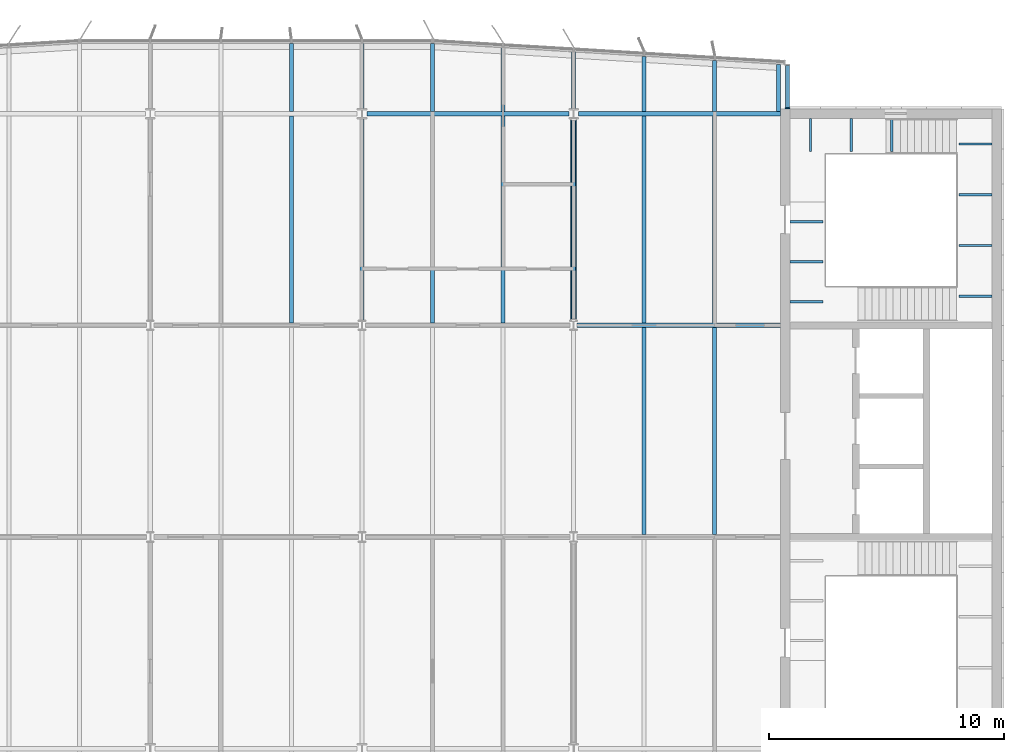
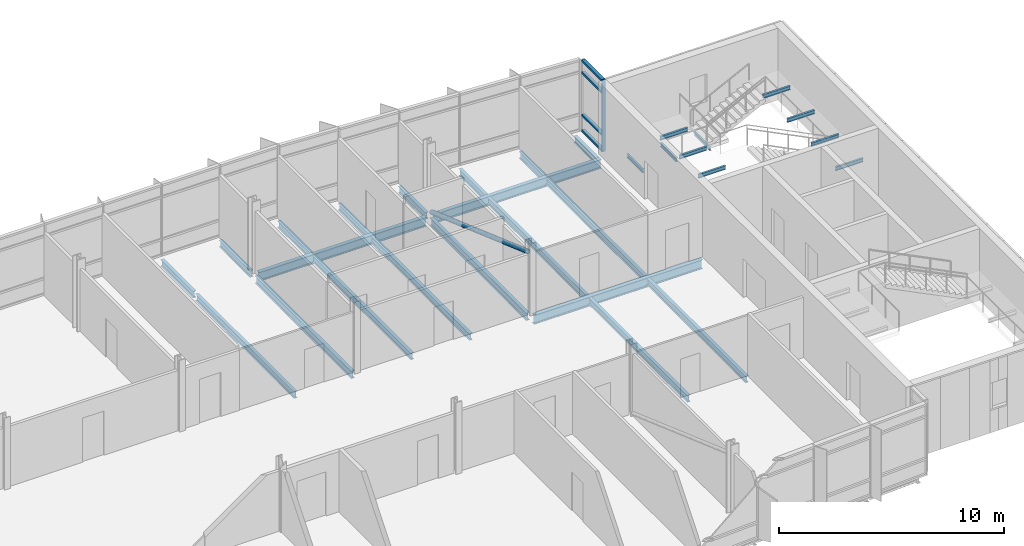
# One storey, part 7 of 18: 30 beams, 6 members, 1 element without a shape of its own.
"""IFC4 building model written with IfcOpenShell, lengths in metres."""

from ifc_helpers import new_model, si_unit, direction, frame, origin, origin_2d, place, context, subcontext, project, spatial, rectangle, hollow_circle, i_section, extrude, material, material_profile, profile_set, type_object, element, aggregate, save


model = new_model("IFC4")

# Units and contexts
model_context = context("Model", 3, precision=1e-05, world=origin(), true_north=direction((0.0, 1.0)))
body_context = subcontext(model_context, "Body", "Model", "MODEL_VIEW")
ifc_project = project(units=[si_unit("LENGTHUNIT", "METRE"), si_unit("AREAUNIT", "SQUARE_METRE"), si_unit("VOLUMEUNIT", "CUBIC_METRE"), si_unit("PLANEANGLEUNIT", "RADIAN"), si_unit("MASSUNIT", "GRAM", prefix="KILO")], contexts=[model_context])

# Site, building, storey
site_placement = place(None, origin())
site = spatial("IfcSite", under=ifc_project, at=site_placement, CompositionType="ELEMENT")
building_placement = place(site_placement, origin())
building = spatial("IfcBuilding", under=site, at=building_placement, Name="Azimuth Sports and Learning Centre", CompositionType="ELEMENT")
storey_placement = place(building_placement, frame((0.0, 0.0, 63.60009765625)))
storey = spatial("IfcBuildingStorey", under=building, at=storey_placement, Name="L14", CompositionType="ELEMENT", Elevation=63.60009765625)

# Beams
ifc_material_1 = material(Name="Steel S355", Category="steel")
ifc_material_profile_1 = material_profile(ifc_material_1, i_section(OverallWidth=0.10009765625, OverallDepth=0.199951171875, WebThickness=0.005615234375, FlangeThickness=0.008544921875, FilletRadius=0.011962890625, at=origin_2d()), Name="IPE 200")
ifc_profile_set_1 = profile_set([ifc_material_profile_1], Name="Steel S355")
beam_type_1 = type_object("IfcBeamType", Name="Beam IPE 200", PredefinedType="BEAM", material=ifc_profile_set_1)
for number, where, z_axis, x_axis, name in (
    (1, (109.0732421875, 116.800048828125, -0.300048828125), (0.0, -1.0, 0.0), (1.0, 0.0, 0.0), "Landing bracket E2 L14 673"),
    (2, (110.800048828125, 116.800048828125, -0.300048828125), (0.0, -1.0, 0.0), (1.0, 0.0, 0.0), "Landing bracket E2 L14 674"),
    (3, (112.526611328125, 116.800048828125, -0.300048828125), (0.0, -1.0, 0.0), (1.0, 0.0, 0.0), "Landing bracket E2 L14 675"),
    (4, (116.800048828125, 109.23876953125, 1.349853515625), (-1.0, 0.0, 0.0), (0.0, -1.0, 0.0), "Landing bracket E2 L14 676"),
    (5, (116.800048828125, 111.396240234375, 1.349853515625), (-1.0, 0.0, 0.0), (0.0, -1.0, 0.0), "Landing bracket E2 L14 677"),
    (6, (116.800048828125, 113.5537109375, 1.349853515625), (-1.0, 0.0, 0.0), (0.0, -1.0, 0.0), "Landing bracket E2 L14 678"),
    (7, (116.800048828125, 115.711181640625, 1.349853515625), (-1.0, 0.0, 0.0), (0.0, -1.0, 0.0), "Landing bracket E2 L14 679"),
    (8, (108.199951171875, 109.00830078125, 3.599853515625), (1.0, 0.0, 0.0), (0.0, 1.0, 0.0), "Landing bracket E2 L14 680"),
    (9, (108.199951171875, 110.705078125, 3.599853515625), (1.0, 0.0, 0.0), (0.0, 1.0, 0.0), "Landing bracket E2 L14 681"),
    (10, (108.199951171875, 112.401611328125, 3.599853515625), (1.0, 0.0, 0.0), (0.0, 1.0, 0.0), "Landing bracket E2 L14 682"),
):
    element("IfcBeam", number, at=place(storey_placement, frame(where, z_axis=z_axis, x_axis=x_axis)), inside=storey, type_object=beam_type_1, Name=name, PredefinedType="BEAM", context=body_context, shape_type="SweptSolid", body=[
        extrude(i_section(OverallWidth=0.10009765625, OverallDepth=0.199951171875, WebThickness=0.005615234375, FlangeThickness=0.008544921875, FilletRadius=0.011962890625, at=origin_2d()), origin(), (0.0, 0.0, 1.0), 1.41015625),
    ])
ifc_material_2 = material(Name="Steel S355", Category="steel")
ifc_material_profile_2 = material_profile(ifc_material_2, i_section(OverallWidth=0.179931640625, OverallDepth=0.39990234375, WebThickness=0.008544921875, FlangeThickness=0.013427734375, FilletRadius=0.02099609375, at=origin_2d()), Name="IPE 400")
ifc_profile_set_2 = profile_set([ifc_material_profile_2], Name="Steel S355")
beam_type_2 = type_object("IfcBeamType", Name="Beam IPE 400", PredefinedType="BEAM", material=ifc_profile_set_2)
for number, where, z_axis, x_axis, name in (
    (11, (90.0, 108.216064453125, -0.330078125), (0.0, 1.0, 0.0), (-1.0, 0.0, 0.0), "Tower tie"),
    (12, (99.0, 108.216064453125, -0.330078125), (0.0, 1.0, 0.0), (-1.0, 0.0, 0.0), "Tower tie"),
):
    element("IfcBeam", number, at=place(storey_placement, frame(where, z_axis=z_axis, x_axis=x_axis)), inside=storey, type_object=beam_type_2, Name=name, PredefinedType="BEAM", context=body_context, shape_type="SweptSolid", body=[
        extrude(i_section(OverallWidth=0.179931640625, OverallDepth=0.39990234375, WebThickness=0.008544921875, FlangeThickness=0.013427734375, FilletRadius=0.02099609375, at=origin_2d()), origin(), (0.0, 0.0, 1.0), 8.56640625),
    ])
ifc_material_3 = material(Name="Steel S355", Category="steel")
ifc_material_profile_3 = material_profile(ifc_material_3, i_section(OverallWidth=0.199951171875, OverallDepth=0.5, WebThickness=0.01025390625, FlangeThickness=0.01611328125, FilletRadius=0.02099609375, at=origin_2d()), Name="IPE 500")
ifc_profile_set_3 = profile_set([ifc_material_profile_3], Name="Steel S355")
beam_type_3 = type_object("IfcBeamType", Name="Beam IPE 500", PredefinedType="BEAM", material=ifc_profile_set_3)
beam_1_placement = place(storey_placement, frame((99.153564453125, 108.0, -0.380126953125), z_axis=(1.0, 0.0, 0.0), x_axis=(0.0, 1.0, 0.0)))
element("IfcBeam", 13, at=beam_1_placement, inside=storey, type_object=beam_type_3, Name="Tower girder L14", PredefinedType="BEAM", context=body_context, shape_type="SweptSolid", body=[
    extrude(i_section(OverallWidth=0.199951171875, OverallDepth=0.5, WebThickness=0.01025390625, FlangeThickness=0.01611328125, FilletRadius=0.02099609375, at=origin_2d()), origin(), (0.0, 0.0, 1.0), 8.646484375),
])
beam_2_placement = place(storey_placement, frame((90.2060546875, 117.0, -0.380126953125), z_axis=(1.0, 0.0, 0.0), x_axis=(0.0, 1.0, 0.0)))
element("IfcBeam", 14, at=beam_2_placement, inside=storey, type_object=beam_type_3, Name="Tower girder L14", PredefinedType="BEAM", context=body_context, shape_type="SweptSolid", body=[
    extrude(i_section(OverallWidth=0.199951171875, OverallDepth=0.5, WebThickness=0.01025390625, FlangeThickness=0.01611328125, FilletRadius=0.02099609375, at=origin_2d()), origin(), (0.0, 0.0, 1.0), 8.587890625),
])
beam_3_placement = place(storey_placement, frame((99.2060546875, 117.0, -0.380126953125), z_axis=(1.0, 0.0, 0.0), x_axis=(0.0, 1.0, 0.0)))
element("IfcBeam", 15, at=beam_3_placement, inside=storey, type_object=beam_type_3, Name="Tower girder L14", PredefinedType="BEAM", context=body_context, shape_type="SweptSolid", body=[
    extrude(i_section(OverallWidth=0.199951171875, OverallDepth=0.5, WebThickness=0.01025390625, FlangeThickness=0.01611328125, FilletRadius=0.02099609375, at=origin_2d()), origin(), (0.0, 0.0, 1.0), 8.593994140625),
])

# Member
ifc_material_4 = material(Name="Steel S355", Category="steel")
ifc_material_profile_4 = material_profile(ifc_material_4, hollow_circle(Radius=0.122314453125, WallThickness=0.012451171875, at=origin_2d()), Name="CHS 244.5x12.5")
ifc_profile_set_4 = profile_set([ifc_material_profile_4], Name="Steel S355")
member_type_1 = type_object("IfcMemberType", Name="Brace CHS 244.5x12.5", PredefinedType="BRACE", material=ifc_profile_set_4)
member_1_placement = place(storey_placement, frame((99.0, 108.237060546875, 3.2001953125), z_axis=(0.0, 0.942228129068, -0.33497186866), x_axis=(-1.0, 0.0, 0.0)))
element("IfcMember", 16, at=member_1_placement, inside=storey, type_object=member_type_1, Name="Tower brace 12 L14", PredefinedType="BRACE", context=body_context, shape_type="SweptSolid", body=[
    extrude(hollow_circle(Radius=0.122314453125, WallThickness=0.012451171875, at=origin_2d()), origin(), (0.0, 0.0, 1.0), 9.047119140625),
])

# Beams
ifc_material_5 = material(Name="Steel S355", Category="steel")
ifc_material_profile_5 = material_profile(ifc_material_5, i_section(OverallWidth=0.169921875, OverallDepth=0.360107421875, WebThickness=0.008056640625, FlangeThickness=0.0126953125, FilletRadius=0.01806640625, at=origin_2d()), Name="IPE 360")
ifc_profile_set_5 = profile_set([ifc_material_profile_5], Name="Steel S355")
beam_type_4 = type_object("IfcBeamType", Name="Cantilever stub IPE 360", PredefinedType="JOIST", material=ifc_profile_set_5)
beam_4_placement = place(storey_placement, frame((87.0, 117.10009765625, -0.31005859375), z_axis=(0.0, 1.0, 0.0), x_axis=(-1.0, 0.0, 0.0)))
element("IfcBeam", 17, at=beam_4_placement, inside=storey, type_object=beam_type_4, Name="Tower cantilever stub", PredefinedType="JOIST", context=body_context, shape_type="SweptSolid", body=[
    extrude(i_section(OverallWidth=0.169921875, OverallDepth=0.360107421875, WebThickness=0.008056640625, FlangeThickness=0.0126953125, FilletRadius=0.01806640625, at=origin_2d()), origin(), (0.0, 0.0, 1.0), 2.8798828125),
])
beam_5_placement = place(storey_placement, frame((90.0, 117.217529296875, -0.31005859375), z_axis=(0.0, 1.0, 0.0), x_axis=(-1.0, 0.0, 0.0)))
element("IfcBeam", 18, at=beam_5_placement, inside=storey, type_object=beam_type_4, Name="Tower cantilever stub", PredefinedType="JOIST", context=body_context, shape_type="SweptSolid", body=[
    extrude(i_section(OverallWidth=0.169921875, OverallDepth=0.360107421875, WebThickness=0.008056640625, FlangeThickness=0.0126953125, FilletRadius=0.01806640625, at=origin_2d()), origin(), (0.0, 0.0, 1.0), 2.762451171875),
])
beam_6_placement = place(storey_placement, frame((93.0, 117.10009765625, -0.31005859375), z_axis=(0.0, 1.0, 0.0), x_axis=(-1.0, 0.0, 0.0)))
element("IfcBeam", 19, at=beam_6_placement, inside=storey, type_object=beam_type_4, Name="Tower cantilever stub", PredefinedType="JOIST", context=body_context, shape_type="SweptSolid", body=[
    extrude(i_section(OverallWidth=0.169921875, OverallDepth=0.360107421875, WebThickness=0.008056640625, FlangeThickness=0.0126953125, FilletRadius=0.01806640625, at=origin_2d()), origin(), (0.0, 0.0, 1.0), 2.8798828125),
])
beam_7_placement = place(storey_placement, frame((96.0, 117.10009765625, -0.31005859375), z_axis=(0.0, 1.0, 0.0), x_axis=(-1.0, 0.0, 0.0)))
element("IfcBeam", 20, at=beam_7_placement, inside=storey, type_object=beam_type_4, Name="Tower cantilever stub", PredefinedType="JOIST", context=body_context, shape_type="SweptSolid", body=[
    extrude(i_section(OverallWidth=0.169921875, OverallDepth=0.360107421875, WebThickness=0.008056640625, FlangeThickness=0.0126953125, FilletRadius=0.01806640625, at=origin_2d()), origin(), (0.0, 0.0, 1.0), 2.699951171875),
])
beam_8_placement = place(storey_placement, frame((99.0, 117.217529296875, -0.31005859375), z_axis=(0.0, 1.0, 0.0), x_axis=(-1.0, 0.0, 0.0)))
element("IfcBeam", 21, at=beam_8_placement, inside=storey, type_object=beam_type_4, Name="Tower cantilever stub", PredefinedType="JOIST", context=body_context, shape_type="SweptSolid", body=[
    extrude(i_section(OverallWidth=0.169921875, OverallDepth=0.360107421875, WebThickness=0.008056640625, FlangeThickness=0.0126953125, FilletRadius=0.01806640625, at=origin_2d()), origin(), (0.0, 0.0, 1.0), 2.402587890625),
])
beam_9_placement = place(storey_placement, frame((102.0, 117.10009765625, -0.31005859375), z_axis=(0.0, 1.0, 0.0), x_axis=(-1.0, 0.0, 0.0)))
element("IfcBeam", 22, at=beam_9_placement, inside=storey, type_object=beam_type_4, Name="Tower cantilever stub", PredefinedType="JOIST", context=body_context, shape_type="SweptSolid", body=[
    extrude(i_section(OverallWidth=0.169921875, OverallDepth=0.360107421875, WebThickness=0.008056640625, FlangeThickness=0.0126953125, FilletRadius=0.01806640625, at=origin_2d()), origin(), (0.0, 0.0, 1.0), 2.33984375),
])
beam_10_placement = place(storey_placement, frame((105.0, 117.10009765625, -0.31005859375), z_axis=(0.0, 1.0, 0.0), x_axis=(-1.0, 0.0, 0.0)))
element("IfcBeam", 23, at=beam_10_placement, inside=storey, type_object=beam_type_4, Name="Tower cantilever stub", PredefinedType="JOIST", context=body_context, shape_type="SweptSolid", body=[
    extrude(i_section(OverallWidth=0.169921875, OverallDepth=0.360107421875, WebThickness=0.008056640625, FlangeThickness=0.0126953125, FilletRadius=0.01806640625, at=origin_2d()), origin(), (0.0, 0.0, 1.0), 2.159912109375),
])
beam_11_placement = place(storey_placement, frame((107.715087890625, 117.10009765625, -0.31005859375), z_axis=(0.0, 1.0, 0.0), x_axis=(-1.0, 0.0, 0.0)))
element("IfcBeam", 24, at=beam_11_placement, inside=storey, type_object=beam_type_4, Name="Tower cantilever stub", PredefinedType="JOIST", context=body_context, shape_type="SweptSolid", body=[
    extrude(i_section(OverallWidth=0.169921875, OverallDepth=0.360107421875, WebThickness=0.008056640625, FlangeThickness=0.0126953125, FilletRadius=0.01806640625, at=origin_2d()), origin(), (0.0, 0.0, 1.0), 1.9970703125),
])
ifc_material_6 = material(Name="Steel S355", Category="steel")
ifc_material_profile_6 = material_profile(ifc_material_6, i_section(OverallWidth=0.169921875, OverallDepth=0.360107421875, WebThickness=0.008056640625, FlangeThickness=0.0126953125, FilletRadius=0.01806640625, at=origin_2d()), Name="IPE 360")
ifc_profile_set_6 = profile_set([ifc_material_profile_6], Name="Steel S355")
beam_type_5 = type_object("IfcBeamType", Name="Joist IPE 360", PredefinedType="JOIST", material=ifc_profile_set_6)
for number, where, z_axis, x_axis, name in (
    (25, (87.0, 108.10009765625, -0.31005859375), (0.0, 1.0, 0.0), (-1.0, 0.0, 0.0), "Tower joist"),
    (26, (93.0, 108.10009765625, -0.31005859375), (0.0, 1.0, 0.0), (-1.0, 0.0, 0.0), "Tower joist"),
    (27, (96.0, 108.10009765625, -0.31005859375), (0.0, 1.0, 0.0), (-1.0, 0.0, 0.0), "Tower joist"),
    (28, (102.0, 99.10009765625, -0.31005859375), (0.0, 1.0, 0.0), (-1.0, 0.0, 0.0), "Tower joist"),
    (29, (102.0, 108.10009765625, -0.31005859375), (0.0, 1.0, 0.0), (-1.0, 0.0, 0.0), "Tower joist"),
    (30, (105.0, 99.10009765625, -0.31005859375), (0.0, 1.0, 0.0), (-1.0, 0.0, 0.0), "Tower joist"),
    (31, (105.0, 108.10009765625, -0.31005859375), (0.0, 1.0, 0.0), (-1.0, 0.0, 0.0), "Tower joist"),
):
    element("IfcBeam", number, at=place(storey_placement, frame(where, z_axis=z_axis, x_axis=x_axis)), inside=storey, type_object=beam_type_5, Name=name, PredefinedType="JOIST", context=body_context, shape_type="SweptSolid", body=[
        extrude(i_section(OverallWidth=0.169921875, OverallDepth=0.360107421875, WebThickness=0.008056640625, FlangeThickness=0.0126953125, FilletRadius=0.01806640625, at=origin_2d()), origin(), (0.0, 0.0, 1.0), 8.7998046875),
    ])

# Curtain wall, members
ifc_material_7 = material(Name="Aluminium and glass", Category="aluminium")
curtain_wall_type = type_object("IfcCurtainWallType", Name="Curtain wall tower return 180", PredefinedType="NOTDEFINED", material=ifc_material_7)
curtain_wall_placement = place(storey_placement, origin())
curtain_wall = element("IfcCurtainWall", 32, at=curtain_wall_placement, inside=storey, type_object=curtain_wall_type, Name="Curtain wall CW14-006", PredefinedType="NOTDEFINED")
ifc_material_8 = material(Name="Aluminium", Category="aluminium")
ifc_material_profile_7 = material_profile(ifc_material_8, rectangle(XDim=0.179931640625, YDim=0.06005859375, at=origin_2d()), Name="Mullion 60x180")
ifc_profile_set_7 = profile_set([ifc_material_profile_7], Name="Aluminium")
member_type_2 = type_object("IfcMemberType", Name="Mullion 60x180", PredefinedType="MULLION", material=ifc_profile_set_7)
member_2_placement = place(storey_placement, frame((108.090087890625, 117.22998046875, 0.0), z_axis=(0.0, 0.0, 1.0), x_axis=(-1.0, 0.0, 0.0)))
member_2 = element("IfcMember", 33, at=member_2_placement, type_object=member_type_2, Name="CW14-006 mullion 1", PredefinedType="MULLION", context=body_context, shape_type="SweptSolid", body=[
    extrude(rectangle(XDim=0.179931640625, YDim=0.06005859375, at=origin_2d()), origin(), (0.0, 0.0, 1.0), 3.89990234375),
])
ifc_material_9 = material(Name="Aluminium", Category="aluminium")
ifc_material_profile_8 = material_profile(ifc_material_9, rectangle(XDim=0.179931640625, YDim=0.10009765625, at=origin_2d()), Name="Transom 100x180")
ifc_profile_set_8 = profile_set([ifc_material_profile_8], Name="Aluminium")
member_type_3 = type_object("IfcMemberType", Name="Transom 100x180", PredefinedType="USERDEFINED", material=ifc_profile_set_8)
member_3_placement = place(storey_placement, frame((108.090087890625, 117.260009765625, 0.0498046875), z_axis=(0.0, 1.0, 0.0), x_axis=(-1.0, 0.0, 0.0)))
member_3 = element("IfcMember", 34, at=member_3_placement, type_object=member_type_3, Name="CW14-006 transom 1.1", ObjectType="TRANSOM", PredefinedType="USERDEFINED", context=body_context, shape_type="SweptSolid", body=[
    extrude(rectangle(XDim=0.179931640625, YDim=0.10009765625, at=origin_2d()), origin(), (0.0, 0.0, 1.0), 1.780029296875),
])
member_4_placement = place(storey_placement, frame((108.090087890625, 117.260009765625, 0.89990234375), z_axis=(0.0, 1.0, 0.0), x_axis=(-1.0, 0.0, 0.0)))
member_4 = element("IfcMember", 35, at=member_4_placement, type_object=member_type_3, Name="CW14-006 transom 1.2", ObjectType="TRANSOM", PredefinedType="USERDEFINED", context=body_context, shape_type="SweptSolid", body=[
    extrude(rectangle(XDim=0.179931640625, YDim=0.10009765625, at=origin_2d()), origin(), (0.0, 0.0, 1.0), 1.780029296875),
])
member_5_placement = place(storey_placement, frame((108.090087890625, 117.260009765625, 3.199951171875), z_axis=(0.0, 1.0, 0.0), x_axis=(-1.0, 0.0, 0.0)))
member_5 = element("IfcMember", 36, at=member_5_placement, type_object=member_type_3, Name="CW14-006 transom 1.3", ObjectType="TRANSOM", PredefinedType="USERDEFINED", context=body_context, shape_type="SweptSolid", body=[
    extrude(rectangle(XDim=0.179931640625, YDim=0.10009765625, at=origin_2d()), origin(), (0.0, 0.0, 1.0), 1.780029296875),
])
member_6_placement = place(storey_placement, frame((108.090087890625, 117.260009765625, 3.849853515625), z_axis=(0.0, 1.0, 0.0), x_axis=(-1.0, 0.0, 0.0)))
member_6 = element("IfcMember", 37, at=member_6_placement, type_object=member_type_3, Name="CW14-006 transom 1.4", ObjectType="TRANSOM", PredefinedType="USERDEFINED", context=body_context, shape_type="SweptSolid", body=[
    extrude(rectangle(XDim=0.179931640625, YDim=0.10009765625, at=origin_2d()), origin(), (0.0, 0.0, 1.0), 1.780029296875),
])
aggregate(curtain_wall, [member_2, member_3, member_4, member_5, member_6])

save(model, "model.ifc")
